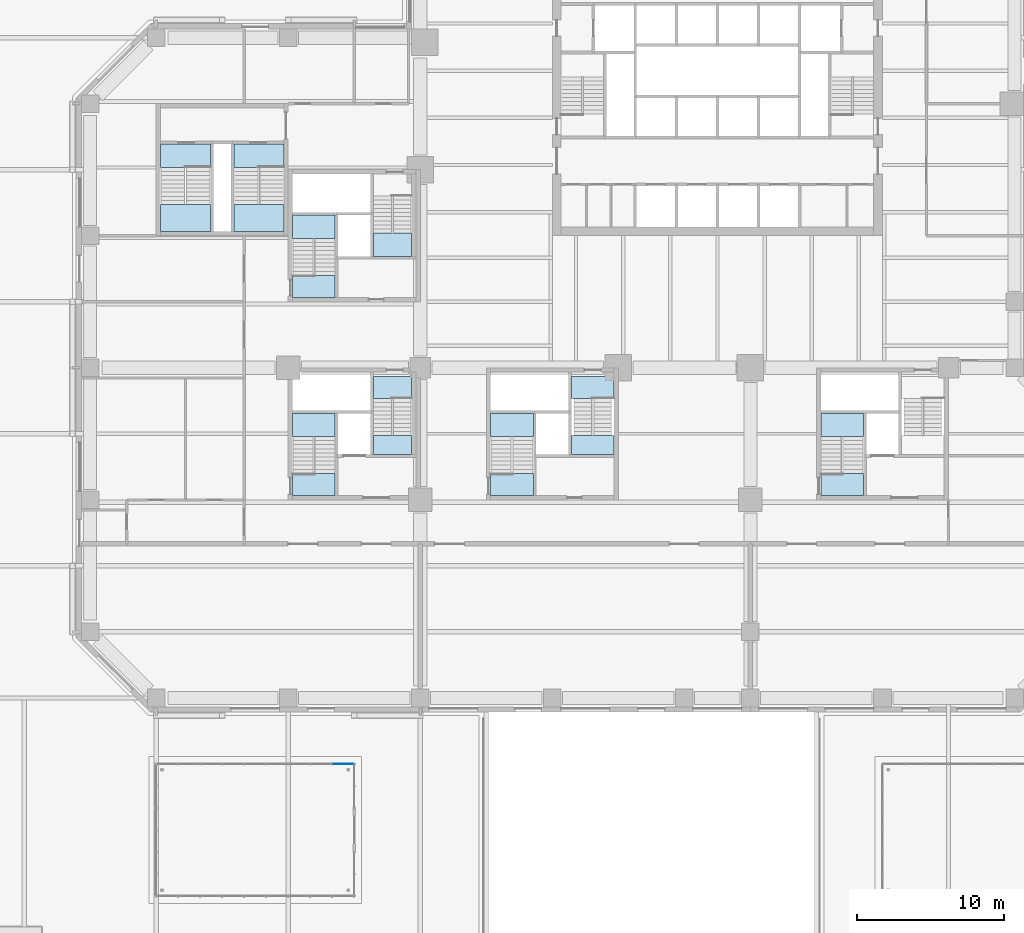
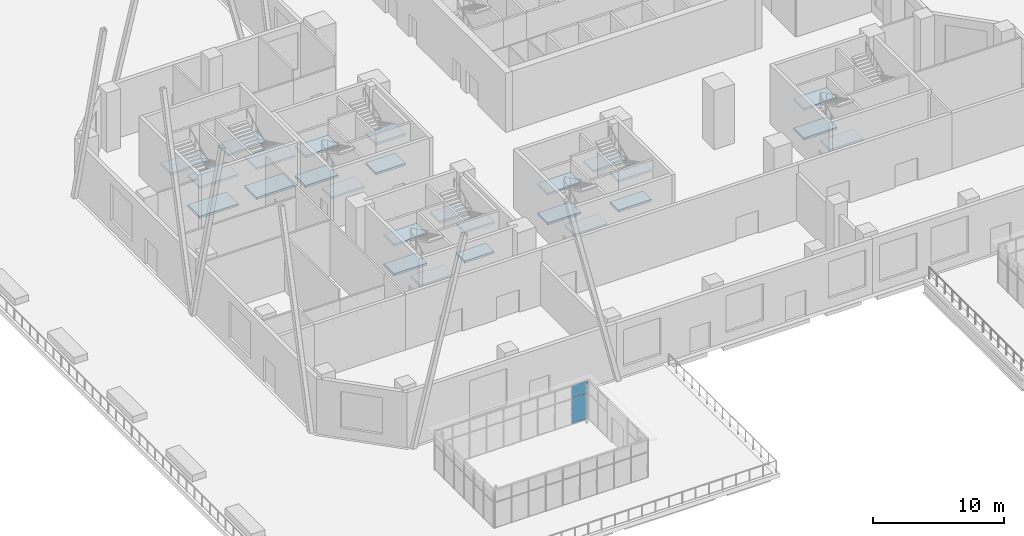
# One storey, part 17 of 33: 26 slabs, 2 plates, 10 elements without a shape of their own.
"""IFC4 building model written with IfcOpenShell, lengths in metres."""

from ifc_helpers import new_model, si_unit, direction, frame, origin, origin_2d, place, context, subcontext, project, spatial, polyline, rectangle, outline, extrude, material, layer, layer_set, constituent, constituent_set, type_object, element, aggregate, save


model = new_model("IFC4")

# Units and contexts
model_context = context("Model", 3, precision=1e-05, world=origin(), true_north=direction((0.0, 1.0)))
body_context = subcontext(model_context, "Body", "Model", "MODEL_VIEW")
ifc_project = project(units=[si_unit("LENGTHUNIT", "METRE"), si_unit("AREAUNIT", "SQUARE_METRE"), si_unit("VOLUMEUNIT", "CUBIC_METRE"), si_unit("PLANEANGLEUNIT", "RADIAN"), si_unit("MASSUNIT", "GRAM", prefix="KILO")], contexts=[model_context])

# Site, building, storey
site_placement = place(None, origin())
site = spatial("IfcSite", under=ifc_project, at=site_placement, CompositionType="ELEMENT")
building_placement = place(site_placement, origin())
building = spatial("IfcBuilding", under=site, at=building_placement, Name="Quoin Convention Tower", CompositionType="ELEMENT")
storey_placement = place(building_placement, frame((0.0, 0.0, 8.0)))
storey = spatial("IfcBuildingStorey", under=building, at=storey_placement, Name="L01", CompositionType="ELEMENT", Elevation=8.0)

# Curtain wall, plates
ifc_material_1 = material(Name="Aluminium", Category="aluminium")
ifc_constituent_1 = constituent(ifc_material_1, Name="Frame")
ifc_material_2 = material(Name="Insulated glass", Category="glass")
ifc_constituent_2 = constituent(ifc_material_2, Name="Glazing")
ifc_constituent_set = constituent_set(constituents=[ifc_constituent_1, ifc_constituent_2], Name="Aluminium")
curtain_wall_type = type_object("IfcCurtainWallType", Name="Garden pavilion glazing system", PredefinedType="NOTDEFINED", material=ifc_constituent_set)
curtain_wall_placement = place(storey_placement, origin())
curtain_wall = element("IfcCurtainWall", 1, at=curtain_wall_placement, inside=storey, type_object=curtain_wall_type, Name="cw-PAV-W1-31500_13500", PredefinedType="NOTDEFINED")
ifc_layer_1 = layer(ifc_material_2, 0.031982421875)
ifc_layer_set_1 = layer_set([ifc_layer_1], Name="Insulated glass")
plate_type = type_object("IfcPlateType", Name="Garden pavilion glazing glazing unit 32", PredefinedType="CURTAIN_PANEL", material=ifc_layer_set_1)
plate_1_placement = place(storey_placement, frame((30.737548828125, 13.5, 0.0400390625), z_axis=(0.0, 0.0, 1.0), x_axis=(-1.0, 0.0, 0.0)))
plate_1 = element("IfcPlate", 2, at=plate_1_placement, type_object=plate_type, Name="CW4 panel 1.1", PredefinedType="CURTAIN_PANEL", context=body_context, shape_type="SweptSolid", body=[
    extrude(rectangle(XDim=1.425048828125, YDim=0.031982421875, at=origin_2d()), origin(), (0.0, 0.0, 1.0), 2.340087890625),
])
plate_2_placement = place(storey_placement, frame((30.737548828125, 13.5, 2.419921875), z_axis=(0.0, 0.0, 1.0), x_axis=(-1.0, 0.0, 0.0)))
plate_2 = element("IfcPlate", 3, at=plate_2_placement, type_object=plate_type, Name="CW4 panel 1.2", PredefinedType="CURTAIN_PANEL", context=body_context, shape_type="SweptSolid", body=[
    extrude(rectangle(XDim=1.425048828125, YDim=0.031982421875, at=origin_2d()), origin(), (0.0, 0.0, 1.0), 1.139892578125),
])
aggregate(curtain_wall, [plate_1, plate_2])

# Stair, slabs
ifc_material_3 = material(Name="Concrete C40", Category="concrete")
stair_type_1 = type_object("IfcStairType", Name="Exit stair four-flight 1350", PredefinedType="DOUBLE_RETURN_STAIR", material=ifc_material_3)
stair_1_placement = place(storey_placement, origin())
stair_1 = element("IfcStair", 4, at=stair_1_placement, inside=storey, type_object=stair_type_1, Name="SD3 L01", PredefinedType="DOUBLE_RETURN_STAIR")
ifc_layer_2 = layer(ifc_material_3, 0.199951171875)
ifc_layer_set_2 = layer_set([ifc_layer_2], Name="Concrete C40")
slab_type = type_object("IfcSlabType", Name="Stair landing 200", PredefinedType="LANDING", material=ifc_layer_set_2)
slab_1_placement = place(storey_placement, frame((0.0, 0.0, 1.175048828125)))
slab_1 = element("IfcSlab", 5, at=slab_1_placement, type_object=slab_type, Name="ST3 landing 1", PredefinedType="LANDING", context=body_context, shape_type="SweptSolid", body=[
    extrude(outline(polyline([(27.300048828125, 49.320068359375), (30.199951171875, 49.320068359375), (30.199951171875, 50.89990234375), (27.300048828125, 50.89990234375), (27.300048828125, 49.320068359375)])), origin(), (0.0, 0.0, 1.0), 0.199951171875),
])
slab_2_placement = place(storey_placement, frame((0.0, 0.0, 2.550048828125)))
slab_2 = element("IfcSlab", 6, at=slab_2_placement, type_object=slab_type, Name="ST3 landing 2", PredefinedType="LANDING", context=body_context, shape_type="SweptSolid", body=[
    extrude(outline(polyline([(27.300048828125, 45.300048828125), (30.199951171875, 45.300048828125), (30.199951171875, 46.800048828125), (27.300048828125, 46.800048828125), (27.300048828125, 45.300048828125)])), origin(), (0.0, 0.0, 1.0), 0.199951171875),
])
slab_3_placement = place(storey_placement, frame((0.0, 0.0, 3.925048828125)))
slab_3 = element("IfcSlab", 7, at=slab_3_placement, type_object=slab_type, Name="ST3 landing 3", PredefinedType="LANDING", context=body_context, shape_type="SweptSolid", body=[
    extrude(outline(polyline([(27.300048828125, 49.320068359375), (30.199951171875, 49.320068359375), (30.199951171875, 50.89990234375), (27.300048828125, 50.89990234375), (27.300048828125, 49.320068359375)])), origin(), (0.0, 0.0, 1.0), 0.199951171875),
])
aggregate(stair_1, [slab_1, slab_2, slab_3])

stair_type_2 = type_object("IfcStairType", Name="Exit stair four-flight 1200", PredefinedType="DOUBLE_RETURN_STAIR", material=ifc_material_3)
stair_2_placement = place(storey_placement, origin())
stair_2 = element("IfcStair", 8, at=stair_2_placement, inside=storey, type_object=stair_type_2, Name="SD4 L01", PredefinedType="DOUBLE_RETURN_STAIR")
slab_4_placement = place(storey_placement, frame((0.0, 0.0, 1.175048828125)))
slab_4 = element("IfcSlab", 9, at=slab_4_placement, type_object=slab_type, Name="ST4 landing 1", PredefinedType="LANDING", context=body_context, shape_type="SweptSolid", body=[
    extrude(outline(polyline([(35.39990234375, 49.679931640625), (32.800048828125, 49.679931640625), (32.800048828125, 48.10009765625), (35.39990234375, 48.10009765625), (35.39990234375, 49.679931640625)])), origin(), (0.0, 0.0, 1.0), 0.199951171875),
])
slab_5_placement = place(storey_placement, frame((0.0, 0.0, 3.925048828125)))
slab_5 = element("IfcSlab", 10, at=slab_5_placement, type_object=slab_type, Name="ST4 landing 3", PredefinedType="LANDING", context=body_context, shape_type="SweptSolid", body=[
    extrude(outline(polyline([(35.39990234375, 49.679931640625), (32.800048828125, 49.679931640625), (32.800048828125, 48.10009765625), (35.39990234375, 48.10009765625), (35.39990234375, 49.679931640625)])), origin(), (0.0, 0.0, 1.0), 0.199951171875),
])
aggregate(stair_2, [slab_4, slab_5])

stair_3_placement = place(storey_placement, origin())
stair_3 = element("IfcStair", 11, at=stair_3_placement, inside=storey, type_object=stair_type_1, Name="SD5 L01", PredefinedType="DOUBLE_RETURN_STAIR")
slab_6_placement = place(storey_placement, frame((0.0, 0.0, 1.175048828125)))
slab_6 = element("IfcSlab", 12, at=slab_6_placement, type_object=slab_type, Name="ST5 landing 1", PredefinedType="LANDING", context=body_context, shape_type="SweptSolid", body=[
    extrude(outline(polyline([(40.800048828125, 35.820068359375), (43.699951171875, 35.820068359375), (43.699951171875, 37.39990234375), (40.800048828125, 37.39990234375), (40.800048828125, 35.820068359375)])), origin(), (0.0, 0.0, 1.0), 0.199951171875),
])
slab_7_placement = place(storey_placement, frame((0.0, 0.0, 2.550048828125)))
slab_7 = element("IfcSlab", 13, at=slab_7_placement, type_object=slab_type, Name="ST5 landing 2", PredefinedType="LANDING", context=body_context, shape_type="SweptSolid", body=[
    extrude(outline(polyline([(40.800048828125, 31.800048828125), (43.699951171875, 31.800048828125), (43.699951171875, 33.300048828125), (40.800048828125, 33.300048828125), (40.800048828125, 31.800048828125)])), origin(), (0.0, 0.0, 1.0), 0.199951171875),
])
slab_8_placement = place(storey_placement, frame((0.0, 0.0, 3.925048828125)))
slab_8 = element("IfcSlab", 14, at=slab_8_placement, type_object=slab_type, Name="ST5 landing 3", PredefinedType="LANDING", context=body_context, shape_type="SweptSolid", body=[
    extrude(outline(polyline([(40.800048828125, 35.820068359375), (43.699951171875, 35.820068359375), (43.699951171875, 37.39990234375), (40.800048828125, 37.39990234375), (40.800048828125, 35.820068359375)])), origin(), (0.0, 0.0, 1.0), 0.199951171875),
])
aggregate(stair_3, [slab_6, slab_7, slab_8])

stair_4_placement = place(storey_placement, origin())
stair_4 = element("IfcStair", 15, at=stair_4_placement, inside=storey, type_object=stair_type_2, Name="SD6 L01", PredefinedType="DOUBLE_RETURN_STAIR")
slab_9_placement = place(storey_placement, frame((0.0, 0.0, 1.175048828125)))
slab_9 = element("IfcSlab", 16, at=slab_9_placement, type_object=slab_type, Name="ST6 landing 1", PredefinedType="LANDING", context=body_context, shape_type="SweptSolid", body=[
    extrude(outline(polyline([(49.199951171875, 35.8798828125), (46.300048828125, 35.8798828125), (46.300048828125, 34.60009765625), (49.199951171875, 34.60009765625), (49.199951171875, 35.8798828125)])), origin(), (0.0, 0.0, 1.0), 0.199951171875),
])
slab_10_placement = place(storey_placement, frame((0.0, 0.0, 2.550048828125)))
slab_10 = element("IfcSlab", 17, at=slab_10_placement, type_object=slab_type, Name="ST6 landing 2", PredefinedType="LANDING", context=body_context, shape_type="SweptSolid", body=[
    extrude(outline(polyline([(49.199951171875, 39.89990234375), (46.300048828125, 39.89990234375), (46.300048828125, 38.39990234375), (49.199951171875, 38.39990234375), (49.199951171875, 39.89990234375)])), origin(), (0.0, 0.0, 1.0), 0.199951171875),
])
slab_11_placement = place(storey_placement, frame((0.0, 0.0, 3.925048828125)))
slab_11 = element("IfcSlab", 18, at=slab_11_placement, type_object=slab_type, Name="ST6 landing 3", PredefinedType="LANDING", context=body_context, shape_type="SweptSolid", body=[
    extrude(outline(polyline([(49.199951171875, 35.8798828125), (46.300048828125, 35.8798828125), (46.300048828125, 34.60009765625), (49.199951171875, 34.60009765625), (49.199951171875, 35.8798828125)])), origin(), (0.0, 0.0, 1.0), 0.199951171875),
])
aggregate(stair_4, [slab_9, slab_10, slab_11])

stair_5_placement = place(storey_placement, origin())
stair_5 = element("IfcStair", 19, at=stair_5_placement, inside=storey, type_object=stair_type_1, Name="SD7 L01", PredefinedType="DOUBLE_RETURN_STAIR")
slab_12_placement = place(storey_placement, frame((0.0, 0.0, 1.175048828125)))
slab_12 = element("IfcSlab", 20, at=slab_12_placement, type_object=slab_type, Name="ST7 landing 1", PredefinedType="LANDING", context=body_context, shape_type="SweptSolid", body=[
    extrude(outline(polyline([(27.300048828125, 35.820068359375), (30.199951171875, 35.820068359375), (30.199951171875, 37.39990234375), (27.300048828125, 37.39990234375), (27.300048828125, 35.820068359375)])), origin(), (0.0, 0.0, 1.0), 0.199951171875),
])
slab_13_placement = place(storey_placement, frame((0.0, 0.0, 2.550048828125)))
slab_13 = element("IfcSlab", 21, at=slab_13_placement, type_object=slab_type, Name="ST7 landing 2", PredefinedType="LANDING", context=body_context, shape_type="SweptSolid", body=[
    extrude(outline(polyline([(27.300048828125, 31.800048828125), (30.199951171875, 31.800048828125), (30.199951171875, 33.300048828125), (27.300048828125, 33.300048828125), (27.300048828125, 31.800048828125)])), origin(), (0.0, 0.0, 1.0), 0.199951171875),
])
slab_14_placement = place(storey_placement, frame((0.0, 0.0, 3.925048828125)))
slab_14 = element("IfcSlab", 22, at=slab_14_placement, type_object=slab_type, Name="ST7 landing 3", PredefinedType="LANDING", context=body_context, shape_type="SweptSolid", body=[
    extrude(outline(polyline([(27.300048828125, 35.820068359375), (30.199951171875, 35.820068359375), (30.199951171875, 37.39990234375), (27.300048828125, 37.39990234375), (27.300048828125, 35.820068359375)])), origin(), (0.0, 0.0, 1.0), 0.199951171875),
])
aggregate(stair_5, [slab_12, slab_13, slab_14])

stair_6_placement = place(storey_placement, origin())
stair_6 = element("IfcStair", 23, at=stair_6_placement, inside=storey, type_object=stair_type_2, Name="SD8 L01", PredefinedType="DOUBLE_RETURN_STAIR")
slab_15_placement = place(storey_placement, frame((0.0, 0.0, 1.175048828125)))
slab_15 = element("IfcSlab", 24, at=slab_15_placement, type_object=slab_type, Name="ST8 landing 1", PredefinedType="LANDING", context=body_context, shape_type="SweptSolid", body=[
    extrude(outline(polyline([(35.39990234375, 35.8798828125), (32.800048828125, 35.8798828125), (32.800048828125, 34.60009765625), (35.39990234375, 34.60009765625), (35.39990234375, 35.8798828125)])), origin(), (0.0, 0.0, 1.0), 0.199951171875),
])
slab_16_placement = place(storey_placement, frame((0.0, 0.0, 2.550048828125)))
slab_16 = element("IfcSlab", 25, at=slab_16_placement, type_object=slab_type, Name="ST8 landing 2", PredefinedType="LANDING", context=body_context, shape_type="SweptSolid", body=[
    extrude(outline(polyline([(35.39990234375, 39.89990234375), (32.800048828125, 39.89990234375), (32.800048828125, 38.39990234375), (35.39990234375, 38.39990234375), (35.39990234375, 39.89990234375)])), origin(), (0.0, 0.0, 1.0), 0.199951171875),
])
slab_17_placement = place(storey_placement, frame((0.0, 0.0, 3.925048828125)))
slab_17 = element("IfcSlab", 26, at=slab_17_placement, type_object=slab_type, Name="ST8 landing 3", PredefinedType="LANDING", context=body_context, shape_type="SweptSolid", body=[
    extrude(outline(polyline([(35.39990234375, 35.8798828125), (32.800048828125, 35.8798828125), (32.800048828125, 34.60009765625), (35.39990234375, 34.60009765625), (35.39990234375, 35.8798828125)])), origin(), (0.0, 0.0, 1.0), 0.199951171875),
])
aggregate(stair_6, [slab_15, slab_16, slab_17])

stair_7_placement = place(storey_placement, origin())
stair_7 = element("IfcStair", 27, at=stair_7_placement, inside=storey, type_object=stair_type_1, Name="SD9 L01", PredefinedType="DOUBLE_RETURN_STAIR")
slab_18_placement = place(storey_placement, frame((0.0, 0.0, 1.175048828125)))
slab_18 = element("IfcSlab", 28, at=slab_18_placement, type_object=slab_type, Name="ST9 landing 1", PredefinedType="LANDING", context=body_context, shape_type="SweptSolid", body=[
    extrude(outline(polyline([(63.300048828125, 35.820068359375), (66.199951171875, 35.820068359375), (66.199951171875, 37.39990234375), (63.300048828125, 37.39990234375), (63.300048828125, 35.820068359375)])), origin(), (0.0, 0.0, 1.0), 0.199951171875),
])
slab_19_placement = place(storey_placement, frame((0.0, 0.0, 2.550048828125)))
slab_19 = element("IfcSlab", 29, at=slab_19_placement, type_object=slab_type, Name="ST9 landing 2", PredefinedType="LANDING", context=body_context, shape_type="SweptSolid", body=[
    extrude(outline(polyline([(63.300048828125, 31.800048828125), (66.199951171875, 31.800048828125), (66.199951171875, 33.300048828125), (63.300048828125, 33.300048828125), (63.300048828125, 31.800048828125)])), origin(), (0.0, 0.0, 1.0), 0.199951171875),
])
slab_20_placement = place(storey_placement, frame((0.0, 0.0, 3.925048828125)))
slab_20 = element("IfcSlab", 30, at=slab_20_placement, type_object=slab_type, Name="ST9 landing 3", PredefinedType="LANDING", context=body_context, shape_type="SweptSolid", body=[
    extrude(outline(polyline([(63.300048828125, 35.820068359375), (66.199951171875, 35.820068359375), (66.199951171875, 37.39990234375), (63.300048828125, 37.39990234375), (63.300048828125, 35.820068359375)])), origin(), (0.0, 0.0, 1.0), 0.199951171875),
])
aggregate(stair_7, [slab_18, slab_19, slab_20])

stair_type_3 = type_object("IfcStairType", Name="Exit stair four-flight 1600", PredefinedType="DOUBLE_RETURN_STAIR", material=ifc_material_3)
stair_8_placement = place(storey_placement, origin())
stair_8 = element("IfcStair", 31, at=stair_8_placement, inside=storey, type_object=stair_type_3, Name="SD11 L01", PredefinedType="DOUBLE_RETURN_STAIR")
slab_21_placement = place(storey_placement, frame((0.0, 0.0, 1.175048828125)))
slab_21 = element("IfcSlab", 32, at=slab_21_placement, type_object=slab_type, Name="ST11 landing 1", PredefinedType="LANDING", context=body_context, shape_type="SweptSolid", body=[
    extrude(outline(polyline([(21.699951171875, 51.6298828125), (18.300048828125, 51.6298828125), (18.300048828125, 49.800048828125), (21.699951171875, 49.800048828125), (21.699951171875, 51.6298828125)])), origin(), (0.0, 0.0, 1.0), 0.199951171875),
])
slab_22_placement = place(storey_placement, frame((0.0, 0.0, 2.550048828125)))
slab_22 = element("IfcSlab", 33, at=slab_22_placement, type_object=slab_type, Name="ST11 landing 2", PredefinedType="LANDING", context=body_context, shape_type="SweptSolid", body=[
    extrude(outline(polyline([(21.699951171875, 55.75), (18.300048828125, 55.75), (18.300048828125, 54.14990234375), (21.699951171875, 54.14990234375), (21.699951171875, 55.75)])), origin(), (0.0, 0.0, 1.0), 0.199951171875),
])
slab_23_placement = place(storey_placement, frame((0.0, 0.0, 3.925048828125)))
slab_23 = element("IfcSlab", 34, at=slab_23_placement, type_object=slab_type, Name="ST11 landing 3", PredefinedType="LANDING", context=body_context, shape_type="SweptSolid", body=[
    extrude(outline(polyline([(21.699951171875, 51.6298828125), (18.300048828125, 51.6298828125), (18.300048828125, 49.800048828125), (21.699951171875, 49.800048828125), (21.699951171875, 51.6298828125)])), origin(), (0.0, 0.0, 1.0), 0.199951171875),
])
aggregate(stair_8, [slab_21, slab_22, slab_23])

stair_9_placement = place(storey_placement, origin())
stair_9 = element("IfcStair", 35, at=stair_9_placement, inside=storey, type_object=stair_type_3, Name="SD12 L01", PredefinedType="DOUBLE_RETURN_STAIR")
slab_24_placement = place(storey_placement, frame((0.0, 0.0, 1.175048828125)))
slab_24 = element("IfcSlab", 36, at=slab_24_placement, type_object=slab_type, Name="ST12 landing 1", PredefinedType="LANDING", context=body_context, shape_type="SweptSolid", body=[
    extrude(outline(polyline([(26.699951171875, 51.6298828125), (23.300048828125, 51.6298828125), (23.300048828125, 49.800048828125), (26.699951171875, 49.800048828125), (26.699951171875, 51.6298828125)])), origin(), (0.0, 0.0, 1.0), 0.199951171875),
])
slab_25_placement = place(storey_placement, frame((0.0, 0.0, 2.550048828125)))
slab_25 = element("IfcSlab", 37, at=slab_25_placement, type_object=slab_type, Name="ST12 landing 2", PredefinedType="LANDING", context=body_context, shape_type="SweptSolid", body=[
    extrude(outline(polyline([(26.699951171875, 55.75), (23.300048828125, 55.75), (23.300048828125, 54.14990234375), (26.699951171875, 54.14990234375), (26.699951171875, 55.75)])), origin(), (0.0, 0.0, 1.0), 0.199951171875),
])
slab_26_placement = place(storey_placement, frame((0.0, 0.0, 3.925048828125)))
slab_26 = element("IfcSlab", 38, at=slab_26_placement, type_object=slab_type, Name="ST12 landing 3", PredefinedType="LANDING", context=body_context, shape_type="SweptSolid", body=[
    extrude(outline(polyline([(26.699951171875, 51.6298828125), (23.300048828125, 51.6298828125), (23.300048828125, 49.800048828125), (26.699951171875, 49.800048828125), (26.699951171875, 51.6298828125)])), origin(), (0.0, 0.0, 1.0), 0.199951171875),
])
aggregate(stair_9, [slab_24, slab_25, slab_26])

save(model, "model.ifc")
